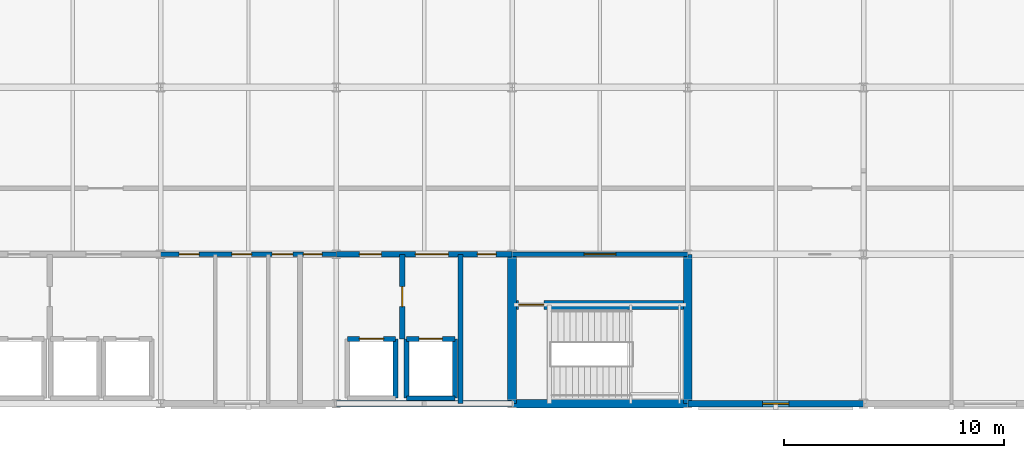
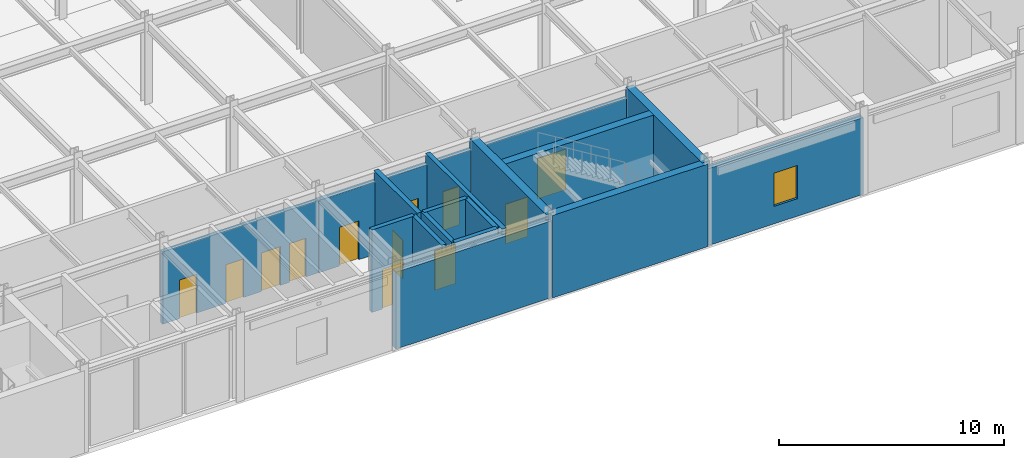
# One storey, part 34 of 43: 17 walls, 12 doors, 1 window, 13 openings.
"""IFC4 building model written with IfcOpenShell, lengths in metres."""

from ifc_helpers import new_model, si_unit, direction, frame, frame_2d, origin, place, context, subcontext, project, spatial, rectangle, extrude, material, layer, layer_set, type_object, element, fill, save


model = new_model("IFC4")

# Units and contexts
model_context = context("Model", 3, precision=1e-05, world=origin(), true_north=direction((0.0, 1.0)))
body_context = subcontext(model_context, "Body", "Model", "MODEL_VIEW")
ifc_project = project(units=[si_unit("LENGTHUNIT", "METRE"), si_unit("AREAUNIT", "SQUARE_METRE"), si_unit("VOLUMEUNIT", "CUBIC_METRE"), si_unit("PLANEANGLEUNIT", "RADIAN"), si_unit("MASSUNIT", "GRAM", prefix="KILO")], contexts=[model_context])

# Site, building, storey
site_placement = place(None, origin())
site = spatial("IfcSite", under=ifc_project, at=site_placement, CompositionType="ELEMENT")
building_placement = place(site_placement, origin())
building = spatial("IfcBuilding", under=site, at=building_placement, Name="Shalkamar Park Central Library", CompositionType="ELEMENT")
storey_placement = place(building_placement, frame((0.0, 0.0, 15.60009765625)))
storey = spatial("IfcBuildingStorey", under=building, at=storey_placement, Name="L04", CompositionType="ELEMENT", Elevation=15.60009765625)

# Wall, opening, door
ifc_material_1 = material(Name="Reinforced fire-compartment masonry wall", Category="masonry")
ifc_layer_1 = layer(ifc_material_1, 0.239990234375)
ifc_layer_set_1 = layer_set([ifc_layer_1], Name="CompartmentWall_240")
wall_type_1 = type_object("IfcWallType", Name="Compartment Wall 240", PredefinedType="PARTITIONING", material=ifc_layer_set_1)
wall_1_placement = place(storey_placement, frame((192.0, 251.35009765625, 0.0), z_axis=(0.0, 0.0, 1.0), x_axis=(0.0, 1.0, 0.0)))
wall_1 = element("IfcWall", 1, at=wall_1_placement, inside=storey, type_object=wall_type_1, Name="Interior Partition WL-INT-L04-002", PredefinedType="PARTITIONING", context=body_context, shape_type="SweptSolid", body=[
    extrude(rectangle(XDim=3.849853515625, YDim=0.239990234375, at=frame_2d((1.9248046875, 0.0))), origin(), (0.0, 0.0, 1.0), 4.47998046875),
])
opening_1_placement = place(wall_1_placement, frame((1.47509765625, 0.0, 0.0)))
opening_1 = element("IfcOpeningElement", 2, at=opening_1_placement, cuts=wall_1, Name="Opening DR-L04-002", PredefinedType="OPENING", context=body_context, shape_type="SweptSolid", body=[
    extrude(rectangle(XDim=0.89990234375, YDim=2.10009765625, at=frame_2d((0.449951171875, 1.050048828125))), frame((0.0, 0.134765625, 0.0), z_axis=(0.0, -1.0, 0.0), x_axis=(1.0, 0.0, 0.0)), (0.0, 0.0, 1.0), 0.269775390625),
])
ifc_material_2 = material(Name="Steel S355", Category="steel")
door_type_1 = type_object("IfcDoorType", Name="Fire Door Single 900x2100", OperationType="NOTDEFINED", PredefinedType="DOOR", material=ifc_material_2)
door_1_placement = place(opening_1_placement, origin())
door_1 = element("IfcDoor", 3, at=door_1_placement, inside=storey, type_object=door_type_1, Name="Fire Lobby Interconnect Door", OperationType="SINGLE_SWING_LEFT", OverallHeight=2.10009765625, OverallWidth=0.89990234375, PredefinedType="DOOR", context=body_context, shape_type="SweptSolid", body=[
    extrude(rectangle(XDim=0.89990234375, YDim=2.10009765625, at=frame_2d((0.449951171875, 1.050048828125))), frame((0.0, 0.02490234375, 0.0), z_axis=(0.0, -1.0, 0.0), x_axis=(1.0, 0.0, 0.0)), (0.0, 0.0, 1.0), 0.050048828125),
])
fill(opening_1, door_1)

# Wall, openings, doors
wall_2_placement = place(storey_placement, frame((189.0, 255.199951171875, 0.0), z_axis=(0.0, 0.0, 1.0), x_axis=(1.0, 0.0, 0.0)))
wall_2 = element("IfcWall", 4, at=wall_2_placement, inside=storey, type_object=wall_type_1, Name="Interior Partition WL-INT-L04-009", PredefinedType="PARTITIONING", context=body_context, shape_type="SweptSolid", body=[
    extrude(rectangle(XDim=8.0, YDim=0.239990234375, at=frame_2d((4.0, 0.0))), origin(), (0.0, 0.0, 1.0), 3.927978515625),
])
opening_2_placement = place(wall_2_placement, frame((1.050048828125, 0.0, 0.0)))
opening_2 = element("IfcOpeningElement", 5, at=opening_2_placement, cuts=wall_2, Name="Opening DR-L04-009", PredefinedType="OPENING", context=body_context, shape_type="SweptSolid", body=[
    extrude(rectangle(XDim=1.0, YDim=2.10009765625, at=frame_2d((0.5, 1.050048828125))), frame((0.0, 0.134765625, 0.0), z_axis=(0.0, -1.0, 0.0), x_axis=(1.0, 0.0, 0.0)), (0.0, 0.0, 1.0), 0.269775390625),
])
opening_3_placement = place(wall_2_placement, frame((3.60009765625, 0.0, 0.0)))
opening_3 = element("IfcOpeningElement", 6, at=opening_3_placement, cuts=wall_2, Name="Opening DR-L04-010", PredefinedType="OPENING", context=body_context, shape_type="SweptSolid", body=[
    extrude(rectangle(XDim=1.5, YDim=2.25, at=frame_2d((0.75, 1.125))), frame((0.0, 0.134765625, 0.0), z_axis=(0.0, -1.0, 0.0), x_axis=(1.0, 0.0, 0.0)), (0.0, 0.0, 1.0), 0.269775390625),
])
opening_4_placement = place(wall_2_placement, frame((6.425048828125, 0.0, 0.0)))
opening_4 = element("IfcOpeningElement", 7, at=opening_4_placement, cuts=wall_2, Name="Opening DR-L04-011", PredefinedType="OPENING", context=body_context, shape_type="SweptSolid", body=[
    extrude(rectangle(XDim=0.85009765625, YDim=2.10009765625, at=frame_2d((0.425048828125, 1.050048828125))), frame((0.0, 0.134765625, 0.0), z_axis=(0.0, -1.0, 0.0), x_axis=(1.0, 0.0, 0.0)), (0.0, 0.0, 1.0), 0.269775390625),
])
door_type_2 = type_object("IfcDoorType", Name="Fire Door Riser 850x2100", OperationType="NOTDEFINED", PredefinedType="DOOR", material=ifc_material_2)
door_2_placement = place(opening_4_placement, frame((0.85009765625, 0.0, 0.0), z_axis=(0.0, 0.0, 1.0), x_axis=(-1.0, 0.0, 0.0)))
door_2 = element("IfcDoor", 8, at=door_2_placement, inside=storey, type_object=door_type_2, Name="Mechanical Riser Access Door", OperationType="SINGLE_SWING_LEFT", OverallHeight=2.10009765625, OverallWidth=0.85009765625, PredefinedType="DOOR", context=body_context, shape_type="SweptSolid", body=[
    extrude(rectangle(XDim=0.85009765625, YDim=2.10009765625, at=frame_2d((0.425048828125, 1.050048828125))), frame((0.0, 0.02490234375, 0.0), z_axis=(0.0, -1.0, 0.0), x_axis=(1.0, 0.0, 0.0)), (0.0, 0.0, 1.0), 0.050048828125),
])
fill(opening_4, door_2)
door_type_3 = type_object("IfcDoorType", Name="Fire Door Single 1000x2100", OperationType="NOTDEFINED", PredefinedType="DOOR", material=ifc_material_2)
door_3_placement = place(opening_2_placement, frame((1.0, 0.0, 0.0), z_axis=(0.0, 0.0, 1.0), x_axis=(-1.0, 0.0, 0.0)))
door_3 = element("IfcDoor", 9, at=door_3_placement, inside=storey, type_object=door_type_3, Name="East Firefighting Lobby Door", OperationType="SINGLE_SWING_RIGHT", OverallHeight=2.10009765625, OverallWidth=1.0, PredefinedType="DOOR", context=body_context, shape_type="SweptSolid", body=[
    extrude(rectangle(XDim=1.0, YDim=2.10009765625, at=frame_2d((0.5, 1.050048828125))), frame((0.0, 0.02490234375, 0.0), z_axis=(0.0, -1.0, 0.0), x_axis=(1.0, 0.0, 0.0)), (0.0, 0.0, 1.0), 0.050048828125),
])
fill(opening_2, door_3)
door_type_4 = type_object("IfcDoorType", Name="Interior Door Double 1500x2250", OperationType="DOUBLE_DOOR_SINGLE_SWING", PredefinedType="DOOR", material=ifc_material_2)
door_4_placement = place(opening_3_placement, frame((1.5, 0.0, 0.0), z_axis=(0.0, 0.0, 1.0), x_axis=(-1.0, 0.0, 0.0)))
door_4 = element("IfcDoor", 10, at=door_4_placement, inside=storey, type_object=door_type_4, Name="East Lift Lobby Entrance", OperationType="DOUBLE_DOOR_SINGLE_SWING", OverallHeight=2.25, OverallWidth=1.5, PredefinedType="DOOR", context=body_context, shape_type="SweptSolid", body=[
    extrude(rectangle(XDim=1.5, YDim=2.25, at=frame_2d((0.75, 1.125))), frame((0.0, 0.02490234375, 0.0), z_axis=(0.0, -1.0, 0.0), x_axis=(1.0, 0.0, 0.0)), (0.0, 0.0, 1.0), 0.050048828125),
])
fill(opening_3, door_4)

# Wall, opening, door
ifc_material_3 = material(Name="Fire-rated corridor partition wall", Category="masonry")
ifc_layer_2 = layer(ifc_material_3, 0.199951171875)
ifc_layer_set_2 = layer_set([ifc_layer_2], Name="CorridorFireWall_200")
wall_type_2 = type_object("IfcWallType", Name="Corridor Fire Wall 200", PredefinedType="PARTITIONING", material=ifc_layer_set_2)
wall_3_placement = place(storey_placement, frame((197.0, 255.199951171875, 0.0), z_axis=(0.0, 0.0, 1.0), x_axis=(1.0, 0.0, 0.0)))
wall_3 = element("IfcWall", 11, at=wall_3_placement, inside=storey, type_object=wall_type_2, Name="CORE-T2 Vestibule North Wall (L04)", PredefinedType="PARTITIONING", context=body_context, shape_type="SweptSolid", body=[
    extrude(rectangle(XDim=8.0, YDim=0.199951171875, at=frame_2d((4.0, 0.0))), origin(), (0.0, 0.0, 1.0), 3.927978515625),
])
opening_5_placement = place(wall_3_placement, frame((3.27490234375, 0.0, 0.0)))
opening_5 = element("IfcOpeningElement", 12, at=opening_5_placement, cuts=wall_3, Name="Opening DR-ST-T2-L04-VEST", PredefinedType="OPENING", context=body_context, shape_type="SweptSolid", body=[
    extrude(rectangle(XDim=1.449951171875, YDim=2.199951171875, at=frame_2d((0.72509765625, 1.10009765625))), frame((0.0, 0.11474609375, 0.0), z_axis=(0.0, -1.0, 0.0), x_axis=(1.0, 0.0, 0.0)), (0.0, 0.0, 1.0), 0.229736328125),
])
door_type_5 = type_object("IfcDoorType", Name="Stair Vestibule Door 1450x2200", OperationType="DOUBLE_DOOR_SINGLE_SWING", PredefinedType="DOOR", material=ifc_material_2)
door_5_placement = place(opening_5_placement, frame((1.449951171875, 0.0, 0.0), z_axis=(0.0, 0.0, 1.0), x_axis=(-1.0, 0.0, 0.0)))
door_5 = element("IfcDoor", 13, at=door_5_placement, inside=storey, type_object=door_type_5, Name="Protected Stair ST-T2 Vestibule Door (L04)", OperationType="DOUBLE_DOOR_SINGLE_SWING", OverallHeight=2.199951171875, OverallWidth=1.449951171875, PredefinedType="DOOR", context=body_context, shape_type="SweptSolid", body=[
    extrude(rectangle(XDim=1.449951171875, YDim=2.199951171875, at=frame_2d((0.72509765625, 1.10009765625))), frame((0.0, 0.02490234375, 0.0), z_axis=(0.0, -1.0, 0.0), x_axis=(1.0, 0.0, 0.0)), (0.0, 0.0, 1.0), 0.050048828125),
])
fill(opening_5, door_5)

# Wall, openings, doors
wall_4_placement = place(storey_placement, frame((181.0, 255.199951171875, 0.0), z_axis=(0.0, 0.0, 1.0), x_axis=(1.0, 0.0, 0.0)))
wall_4 = element("IfcWall", 14, at=wall_4_placement, inside=storey, type_object=wall_type_2, Name="Interior Partition WL-INT-L04-008", PredefinedType="PARTITIONING", context=body_context, shape_type="SweptSolid", body=[
    extrude(rectangle(XDim=8.0, YDim=0.199951171875, at=frame_2d((4.0, 0.0))), origin(), (0.0, 0.0, 1.0), 3.927978515625),
])
opening_6_placement = place(wall_4_placement, frame((0.85009765625, 0.0, 0.0)))
opening_6 = element("IfcOpeningElement", 15, at=opening_6_placement, cuts=wall_4, Name="Opening DR-L04-005", PredefinedType="OPENING", context=body_context, shape_type="SweptSolid", body=[
    extrude(rectangle(XDim=0.89990234375, YDim=2.10009765625, at=frame_2d((0.449951171875, 1.050048828125))), frame((0.0, 0.11474609375, 0.0), z_axis=(0.0, -1.0, 0.0), x_axis=(1.0, 0.0, 0.0)), (0.0, 0.0, 1.0), 0.229736328125),
])
opening_7_placement = place(wall_4_placement, frame((3.25, 0.0, 0.0)))
opening_7 = element("IfcOpeningElement", 16, at=opening_7_placement, cuts=wall_4, Name="Opening DR-L04-006", PredefinedType="OPENING", context=body_context, shape_type="SweptSolid", body=[
    extrude(rectangle(XDim=0.89990234375, YDim=2.10009765625, at=frame_2d((0.449951171875, 1.050048828125))), frame((0.0, 0.11474609375, 0.0), z_axis=(0.0, -1.0, 0.0), x_axis=(1.0, 0.0, 0.0)), (0.0, 0.0, 1.0), 0.229736328125),
])
opening_8_placement = place(wall_4_placement, frame((5.074951171875, 0.0, 0.0)))
opening_8 = element("IfcOpeningElement", 17, at=opening_8_placement, cuts=wall_4, Name="Opening DR-L04-007", PredefinedType="OPENING", context=body_context, shape_type="SweptSolid", body=[
    extrude(rectangle(XDim=0.949951171875, YDim=2.10009765625, at=frame_2d((0.47509765625, 1.050048828125))), frame((0.0, 0.11474609375, 0.0), z_axis=(0.0, -1.0, 0.0), x_axis=(1.0, 0.0, 0.0)), (0.0, 0.0, 1.0), 0.229736328125),
])
opening_9_placement = place(wall_4_placement, frame((6.5, 0.0, 0.0)))
opening_9 = element("IfcOpeningElement", 18, at=opening_9_placement, cuts=wall_4, Name="Opening DR-L04-008", PredefinedType="OPENING", context=body_context, shape_type="SweptSolid", body=[
    extrude(rectangle(XDim=0.85009765625, YDim=2.10009765625, at=frame_2d((0.425048828125, 1.050048828125))), frame((0.0, 0.11474609375, 0.0), z_axis=(0.0, -1.0, 0.0), x_axis=(1.0, 0.0, 0.0)), (0.0, 0.0, 1.0), 0.229736328125),
])
door_6_placement = place(opening_9_placement, frame((0.85009765625, 0.0, 0.0), z_axis=(0.0, 0.0, 1.0), x_axis=(-1.0, 0.0, 0.0)))
door_6 = element("IfcDoor", 19, at=door_6_placement, inside=storey, type_object=door_type_2, Name="Electrical Riser Access Door", OperationType="SINGLE_SWING_LEFT", OverallHeight=2.10009765625, OverallWidth=0.85009765625, PredefinedType="DOOR", context=body_context, shape_type="SweptSolid", body=[
    extrude(rectangle(XDim=0.85009765625, YDim=2.10009765625, at=frame_2d((0.425048828125, 1.050048828125))), frame((0.0, 0.02490234375, 0.0), z_axis=(0.0, -1.0, 0.0), x_axis=(1.0, 0.0, 0.0)), (0.0, 0.0, 1.0), 0.050048828125),
])
fill(opening_9, door_6)
door_type_6 = type_object("IfcDoorType", Name="Interior Door Single 900x2100", OperationType="NOTDEFINED", PredefinedType="DOOR", material=ifc_material_2)
door_7_placement = place(opening_6_placement, frame((0.89990234375, 0.0, 0.0), z_axis=(0.0, 0.0, 1.0), x_axis=(-1.0, 0.0, 0.0)))
door_7 = element("IfcDoor", 20, at=door_7_placement, inside=storey, type_object=door_type_6, Name="Male WC Door", OperationType="SINGLE_SWING_RIGHT", OverallHeight=2.10009765625, OverallWidth=0.89990234375, PredefinedType="DOOR", context=body_context, shape_type="SweptSolid", body=[
    extrude(rectangle(XDim=0.89990234375, YDim=2.10009765625, at=frame_2d((0.449951171875, 1.050048828125))), frame((0.0, 0.02490234375, 0.0), z_axis=(0.0, -1.0, 0.0), x_axis=(1.0, 0.0, 0.0)), (0.0, 0.0, 1.0), 0.050048828125),
])
fill(opening_6, door_7)
door_8_placement = place(opening_7_placement, frame((0.89990234375, 0.0, 0.0), z_axis=(0.0, 0.0, 1.0), x_axis=(-1.0, 0.0, 0.0)))
door_8 = element("IfcDoor", 21, at=door_8_placement, inside=storey, type_object=door_type_6, Name="Female WC Door", OperationType="SINGLE_SWING_RIGHT", OverallHeight=2.10009765625, OverallWidth=0.89990234375, PredefinedType="DOOR", context=body_context, shape_type="SweptSolid", body=[
    extrude(rectangle(XDim=0.89990234375, YDim=2.10009765625, at=frame_2d((0.449951171875, 1.050048828125))), frame((0.0, 0.02490234375, 0.0), z_axis=(0.0, -1.0, 0.0), x_axis=(1.0, 0.0, 0.0)), (0.0, 0.0, 1.0), 0.050048828125),
])
fill(opening_7, door_8)
door_type_7 = type_object("IfcDoorType", Name="Interior Door Single 950x2100", OperationType="NOTDEFINED", PredefinedType="DOOR", material=ifc_material_2)
door_9_placement = place(opening_8_placement, frame((0.949951171875, 0.0, 0.0), z_axis=(0.0, 0.0, 1.0), x_axis=(-1.0, 0.0, 0.0)))
door_9 = element("IfcDoor", 22, at=door_9_placement, inside=storey, type_object=door_type_7, Name="Universal Accessible WC Door", OperationType="SINGLE_SWING_LEFT", OverallHeight=2.10009765625, OverallWidth=0.949951171875, PredefinedType="DOOR", context=body_context, shape_type="SweptSolid", body=[
    extrude(rectangle(XDim=0.949951171875, YDim=2.10009765625, at=frame_2d((0.47509765625, 1.050048828125))), frame((0.0, 0.02490234375, 0.0), z_axis=(0.0, -1.0, 0.0), x_axis=(1.0, 0.0, 0.0)), (0.0, 0.0, 1.0), 0.050048828125),
])
fill(opening_8, door_9)

# Wall
ifc_material_4 = material(Name="Concrete C40/50", Category="concrete")
ifc_layer_3 = layer(ifc_material_4, 0.219970703125)
ifc_layer_set_3 = layer_set([ifc_layer_3], Name="Concrete C40/50")
wall_type_3 = type_object("IfcWallType", Name="Lift Hoistway Shear Wall 220", PredefinedType="SHEAR", material=ifc_layer_set_3)
wall_5_placement = place(storey_placement, frame((191.699951171875, 248.64990234375, 0.0), z_axis=(0.0, 0.0, 1.0), x_axis=(0.0, 1.0, 0.0)))
element("IfcWall", 23, at=wall_5_placement, inside=storey, type_object=wall_type_3, Name="Lift FFL-02 Hoistway East Wall (L04)", PredefinedType="SHEAR", context=body_context, shape_type="SweptSolid", body=[
    extrude(rectangle(XDim=2.7001953125, YDim=0.219970703125, at=frame_2d((1.35009765625, 0.0))), origin(), (0.0, 0.0, 1.0), 4.47998046875),
])

# Wall, opening, door
wall_6_placement = place(storey_placement, frame((189.5, 251.35009765625, 0.0), z_axis=(0.0, 0.0, 1.0), x_axis=(1.0, 0.0, 0.0)))
wall_6 = element("IfcWall", 24, at=wall_6_placement, inside=storey, type_object=wall_type_3, Name="Lift FFL-02 Hoistway Front Wall (L04)", PredefinedType="SHEAR", context=body_context, shape_type="SweptSolid", body=[
    extrude(rectangle(XDim=2.199951171875, YDim=0.219970703125, at=frame_2d((1.10009765625, 0.0))), origin(), (0.0, 0.0, 1.0), 4.47998046875),
])
opening_10_placement = place(wall_6_placement, frame((0.550048828125, 0.0, 0.0)))
opening_10 = element("IfcOpeningElement", 25, at=opening_10_placement, cuts=wall_6, Name="Opening LD-FFL-02-L04", PredefinedType="OPENING", context=body_context, shape_type="SweptSolid", body=[
    extrude(rectangle(XDim=1.10009765625, YDim=2.14990234375, at=frame_2d((0.550048828125, 1.074951171875))), frame((0.0, 0.125, 0.0), z_axis=(0.0, -1.0, 0.0), x_axis=(1.0, 0.0, 0.0)), (0.0, 0.0, 1.0), 0.249755859375),
])
door_type_8 = type_object("IfcDoorType", Name="Fire Lift Landing Door 1100x2150", OperationType="DOUBLE_DOOR_SLIDING", PredefinedType="USERDEFINED", material=ifc_material_2)
door_10_placement = place(opening_10_placement, origin())
door_10 = element("IfcDoor", 26, at=door_10_placement, inside=storey, type_object=door_type_8, Name="Lift FFL-02 Sliding Landing Door (L04)", ObjectType="SLIDING LANDING DOOR", OperationType="DOUBLE_DOOR_SLIDING", OverallHeight=2.14990234375, OverallWidth=1.10009765625, PredefinedType="USERDEFINED", context=body_context, shape_type="SweptSolid", body=[
    extrude(rectangle(XDim=1.10009765625, YDim=2.14990234375, at=frame_2d((0.550048828125, 1.074951171875))), frame((0.0, 0.02490234375, 0.0), z_axis=(0.0, -1.0, 0.0), x_axis=(1.0, 0.0, 0.0)), (0.0, 0.0, 1.0), 0.050048828125),
])
fill(opening_10, door_10)

# Walls
wall_7_placement = place(storey_placement, frame((192.199951171875, 248.64990234375, 0.0), z_axis=(0.0, 0.0, 1.0), x_axis=(1.0, 0.0, 0.0)))
element("IfcWall", 27, at=wall_7_placement, inside=storey, type_object=wall_type_3, Name="Lift LT-03 Hoistway South Wall (L04)", PredefinedType="SHEAR", context=body_context, shape_type="SweptSolid", body=[
    extrude(rectangle(XDim=2.199951171875, YDim=0.219970703125, at=frame_2d((1.10009765625, 0.0))), origin(), (0.0, 0.0, 1.0), 4.47998046875),
])
for number, where, z_axis, x_axis, name in (
    (28, (192.199951171875, 248.64990234375, 0.0), (0.0, 0.0, 1.0), (0.0, 1.0, 0.0), "Lift LT-03 Hoistway West Wall (L04)"),
    (29, (194.39990234375, 248.64990234375, 0.0), (0.0, 0.0, 1.0), (0.0, 1.0, 0.0), "Lift LT-03 Hoistway East Wall (L04)"),
):
    element("IfcWall", number, at=place(storey_placement, frame(where, z_axis=z_axis, x_axis=x_axis)), inside=storey, type_object=wall_type_3, Name=name, PredefinedType="SHEAR", context=body_context, shape_type="SweptSolid", body=[
        extrude(rectangle(XDim=2.7001953125, YDim=0.219970703125, at=frame_2d((1.35009765625, 0.0))), origin(), (0.0, 0.0, 1.0), 4.47998046875),
    ])

# Wall, opening, door
wall_8_placement = place(storey_placement, frame((192.199951171875, 251.35009765625, 0.0), z_axis=(0.0, 0.0, 1.0), x_axis=(1.0, 0.0, 0.0)))
wall_8 = element("IfcWall", 30, at=wall_8_placement, inside=storey, type_object=wall_type_3, Name="Lift LT-03 Hoistway Front Wall (L04)", PredefinedType="SHEAR", context=body_context, shape_type="SweptSolid", body=[
    extrude(rectangle(XDim=2.199951171875, YDim=0.219970703125, at=frame_2d((1.10009765625, 0.0))), origin(), (0.0, 0.0, 1.0), 4.47998046875),
])
opening_11_placement = place(wall_8_placement, frame((0.574951171875, 0.0, 0.0)))
opening_11 = element("IfcOpeningElement", 31, at=opening_11_placement, cuts=wall_8, Name="Opening LD-LT-03-L04", PredefinedType="OPENING", context=body_context, shape_type="SweptSolid", body=[
    extrude(rectangle(XDim=1.050048828125, YDim=2.14990234375, at=frame_2d((0.52490234375, 1.074951171875))), frame((0.0, 0.125, 0.0), z_axis=(0.0, -1.0, 0.0), x_axis=(1.0, 0.0, 0.0)), (0.0, 0.0, 1.0), 0.249755859375),
])
door_type_9 = type_object("IfcDoorType", Name="Passenger Lift Landing Door 1050x2150", OperationType="DOUBLE_DOOR_SLIDING", PredefinedType="USERDEFINED", material=ifc_material_2)
door_11_placement = place(opening_11_placement, origin())
door_11 = element("IfcDoor", 32, at=door_11_placement, inside=storey, type_object=door_type_9, Name="Lift LT-03 Sliding Landing Door (L04)", ObjectType="SLIDING LANDING DOOR", OperationType="DOUBLE_DOOR_SLIDING", OverallHeight=2.14990234375, OverallWidth=1.050048828125, PredefinedType="USERDEFINED", context=body_context, shape_type="SweptSolid", body=[
    extrude(rectangle(XDim=1.050048828125, YDim=2.14990234375, at=frame_2d((0.52490234375, 1.074951171875))), frame((0.0, 0.02490234375, 0.0), z_axis=(0.0, -1.0, 0.0), x_axis=(1.0, 0.0, 0.0)), (0.0, 0.0, 1.0), 0.050048828125),
])
fill(opening_11, door_11)

# Walls
ifc_material_5 = material(Name="Fire-rated shaft enclosure wall", Category="masonry")
ifc_layer_4 = layer(ifc_material_5, 0.219970703125)
ifc_layer_set_4 = layer_set([ifc_layer_4], Name="ShaftWall_220")
wall_type_4 = type_object("IfcWallType", Name="Shaft Wall 220", PredefinedType="PARTITIONING", material=ifc_layer_set_4)
wall_9_placement = place(storey_placement, frame((194.64990234375, 248.39990234375, 0.0), z_axis=(0.0, 0.0, 1.0), x_axis=(0.0, 1.0, 0.0)))
element("IfcWall", 33, at=wall_9_placement, inside=storey, type_object=wall_type_4, Name="Interior Partition WL-INT-L04-003", PredefinedType="PARTITIONING", context=body_context, shape_type="SweptSolid", body=[
    extrude(rectangle(XDim=6.800048828125, YDim=0.219970703125, at=frame_2d((3.39990234375, 0.0))), origin(), (0.0, 0.0, 1.0), 4.47998046875),
])
ifc_layer_5 = layer(ifc_material_4, 0.39990234375)
ifc_layer_set_5 = layer_set([ifc_layer_5], Name="Concrete C40/50")
wall_type_5 = type_object("IfcWallType", Name="Tower Core Shear Wall 400", PredefinedType="SHEAR", material=ifc_layer_set_5)
wall_10_placement = place(storey_placement, frame((197.0, 248.39990234375, 0.0), z_axis=(0.0, 0.0, 1.0), x_axis=(1.0, 0.0, 0.0)))
element("IfcWall", 34, at=wall_10_placement, inside=storey, type_object=wall_type_5, Name="CORE-T2 South Shear Wall (L04)", PredefinedType="SHEAR", context=body_context, shape_type="SweptSolid", body=[
    extrude(rectangle(XDim=8.0, YDim=0.39990234375, at=frame_2d((4.0, 0.0))), origin(), (0.0, 0.0, 1.0), 4.47998046875),
])
for number, where, z_axis, x_axis, name in (
    (35, (197.0, 248.39990234375, 0.0), (0.0, 0.0, 1.0), (0.0, 1.0, 0.0), "CORE-T2 West Shear Wall (L04)"),
    (36, (205.0, 248.39990234375, 0.0), (0.0, 0.0, 1.0), (0.0, 1.0, 0.0), "CORE-T2 East Shear Wall (L04)"),
):
    element("IfcWall", number, at=place(storey_placement, frame(where, z_axis=z_axis, x_axis=x_axis)), inside=storey, type_object=wall_type_5, Name=name, PredefinedType="SHEAR", context=body_context, shape_type="SweptSolid", body=[
        extrude(rectangle(XDim=6.800048828125, YDim=0.39990234375, at=frame_2d((3.39990234375, 0.0))), origin(), (0.0, 0.0, 1.0), 4.47998046875),
    ])

# Wall, opening, door
wall_11_placement = place(storey_placement, frame((197.0, 252.89990234375, 0.0), z_axis=(0.0, 0.0, 1.0), x_axis=(1.0, 0.0, 0.0)))
wall_11 = element("IfcWall", 37, at=wall_11_placement, inside=storey, type_object=wall_type_5, Name="CORE-T2 Stairwell Wall (L04)", PredefinedType="SHEAR", context=body_context, shape_type="SweptSolid", body=[
    extrude(rectangle(XDim=8.0, YDim=0.39990234375, at=frame_2d((4.0, 0.0))), origin(), (0.0, 0.0, 1.0), 4.47998046875),
])
opening_12_placement = place(wall_11_placement, frame((0.300048828125, 0.0, 0.0)))
opening_12 = element("IfcOpeningElement", 38, at=opening_12_placement, cuts=wall_11, Name="Opening DR-ST-T2-L04-IN", PredefinedType="OPENING", context=body_context, shape_type="SweptSolid", body=[
    extrude(rectangle(XDim=1.14990234375, YDim=2.14990234375, at=frame_2d((0.574951171875, 1.074951171875))), frame((0.0, 0.21484375, 0.0), z_axis=(0.0, -1.0, 0.0), x_axis=(1.0, 0.0, 0.0)), (0.0, 0.0, 1.0), 0.4296875),
])
door_type_10 = type_object("IfcDoorType", Name="Stair Core Exit Door 1150x2150", OperationType="NOTDEFINED", PredefinedType="DOOR", material=ifc_material_2)
door_12_placement = place(opening_12_placement, frame((1.14990234375, 0.0, 0.0), z_axis=(0.0, 0.0, 1.0), x_axis=(-1.0, 0.0, 0.0)))
door_12 = element("IfcDoor", 39, at=door_12_placement, inside=storey, type_object=door_type_10, Name="Protected Stair ST-T2 Exit Door (L04)", OperationType="SINGLE_SWING_RIGHT", OverallHeight=2.14990234375, OverallWidth=1.14990234375, PredefinedType="DOOR", context=body_context, shape_type="SweptSolid", body=[
    extrude(rectangle(XDim=1.14990234375, YDim=2.14990234375, at=frame_2d((0.574951171875, 1.074951171875))), frame((0.0, 0.02490234375, 0.0), z_axis=(0.0, -1.0, 0.0), x_axis=(1.0, 0.0, 0.0)), (0.0, 0.0, 1.0), 0.050048828125),
])
fill(opening_12, door_12)

# Wall
ifc_material_6 = material(Name="Travertine insulated rainscreen", Category="masonry")
ifc_layer_6 = layer(ifc_material_6, 0.2900390625)
ifc_layer_set_6 = layer_set([ifc_layer_6], Name="TravertineTerracottaWall_290")
wall_type_6 = type_object("IfcWallType", Name="Travertine Terracotta Wall 290", PredefinedType="SOLIDWALL", material=ifc_layer_set_6)
wall_12_placement = place(storey_placement, frame((189.006103515625, 248.39990234375, 0.0), z_axis=(0.0, 0.0, 1.0), x_axis=(1.0, 0.0, 0.0)))
element("IfcWall", 40, at=wall_12_placement, inside=storey, type_object=wall_type_6, Name="Exterior Facade Wall WL-EXT-L04-109", PredefinedType="SOLIDWALL", context=body_context, shape_type="SweptSolid", body=[
    extrude(rectangle(XDim=7.98779296875, YDim=0.2900390625, at=frame_2d((3.993896484375, 0.0))), origin(), (0.0, 0.0, 1.0), 4.16796875),
])

# Wall, opening, window
wall_13_placement = place(storey_placement, frame((205.006103515625, 248.39990234375, 0.0), z_axis=(0.0, 0.0, 1.0), x_axis=(1.0, 0.0, 0.0)))
wall_13 = element("IfcWall", 41, at=wall_13_placement, inside=storey, type_object=wall_type_6, Name="Exterior Facade Wall WL-EXT-L04-110", PredefinedType="SOLIDWALL", context=body_context, shape_type="SweptSolid", body=[
    extrude(rectangle(XDim=7.98779296875, YDim=0.2900390625, at=frame_2d((3.993896484375, 0.0))), origin(), (0.0, 0.0, 1.0), 4.16796875),
])
opening_13_placement = place(wall_13_placement, frame((3.39404296875, 0.0, 0.949951171875)))
opening_13 = element("IfcOpeningElement", 42, at=opening_13_placement, cuts=wall_13, Name="Opening WN-16", PredefinedType="OPENING", context=body_context, shape_type="SweptSolid", body=[
    extrude(rectangle(XDim=1.199951171875, YDim=1.800048828125, at=frame_2d((0.60009765625, 0.89990234375))), frame((0.0, 0.159912109375, 0.0), z_axis=(0.0, -1.0, 0.0), x_axis=(1.0, 0.0, 0.0)), (0.0, 0.0, 1.0), 0.31982421875),
])
ifc_material_7 = material(Name="Thermally broken aluminium and triple low-e glass", Category="glass")
window_type = type_object("IfcWindowType", Name="Tower Window 1200x1800", PartitioningType="SINGLE_PANEL", PredefinedType="WINDOW", material=ifc_material_7)
window_placement = place(opening_13_placement, origin())
window = element("IfcWindow", 43, at=window_placement, inside=storey, type_object=window_type, Name="Facade Window WN-L04-071", OverallHeight=1.800048828125, OverallWidth=1.199951171875, PartitioningType="SINGLE_PANEL", PredefinedType="WINDOW", context=body_context, shape_type="SweptSolid", body=[
    extrude(rectangle(XDim=1.199951171875, YDim=1.800048828125, at=frame_2d((0.60009765625, 0.89990234375))), frame((0.0, 0.030029296875, 0.0), z_axis=(0.0, -1.0, 0.0), x_axis=(1.0, 0.0, 0.0)), (0.0, 0.0, 1.0), 0.06005859375),
])
fill(opening_13, window)

save(model, "model.ifc")
